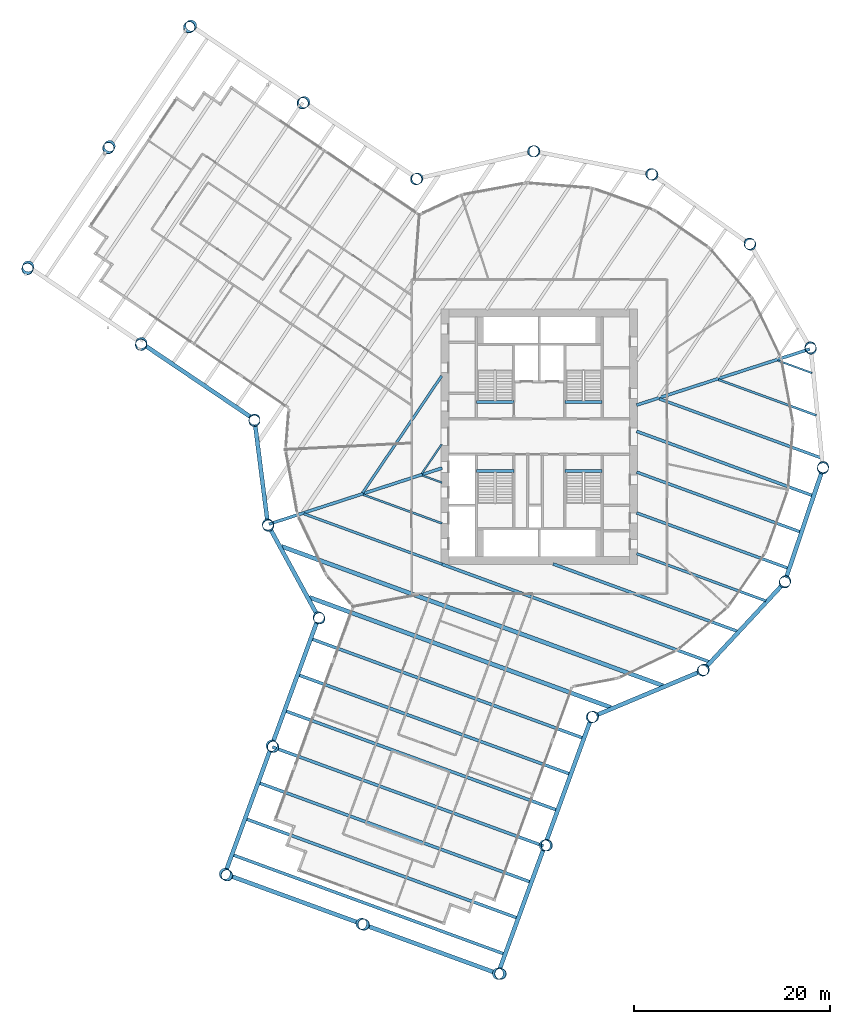
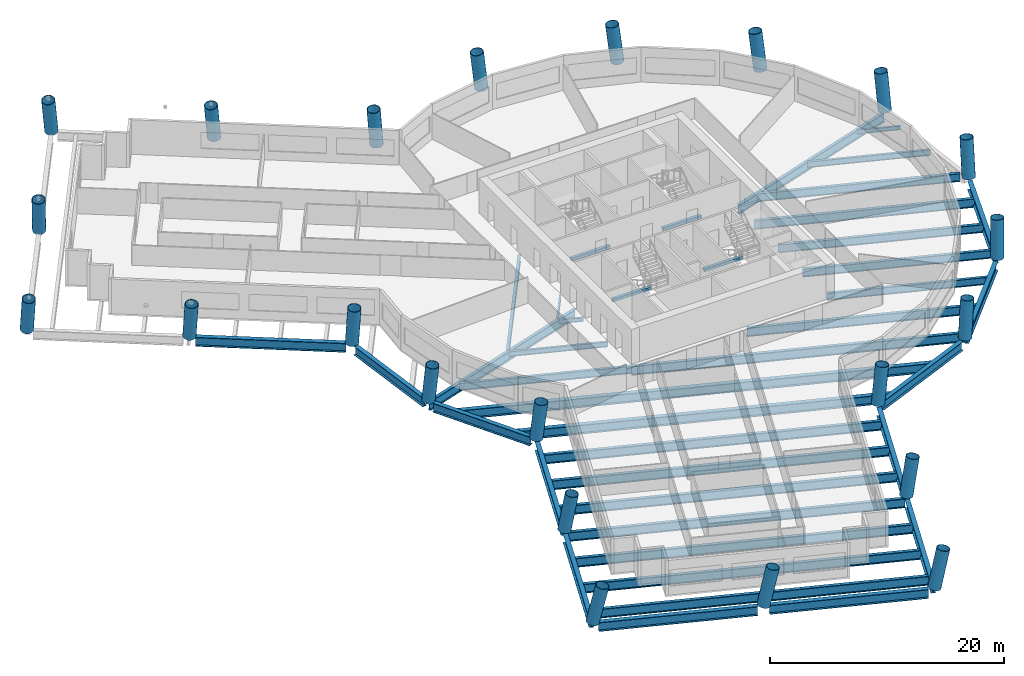
# One storey, part 1 of 13: 41 beams, 22 columns.
"""IFC4 building model written with IfcOpenShell, lengths in metres."""

from ifc_helpers import new_model, si_unit, direction, frame, origin, origin_2d, place, context, subcontext, project, spatial, rectangle, hollow_circle, i_section, extrude, material, material_profile, profile_set, type_object, element, save


model = new_model("IFC4")

# Units and contexts
model_context = context("Model", 3, precision=1e-05, world=origin(), true_north=direction((0.0, 1.0)))
body_context = subcontext(model_context, "Body", "Model", "MODEL_VIEW")
ifc_project = project(units=[si_unit("LENGTHUNIT", "METRE"), si_unit("AREAUNIT", "SQUARE_METRE"), si_unit("VOLUMEUNIT", "CUBIC_METRE"), si_unit("PLANEANGLEUNIT", "RADIAN"), si_unit("MASSUNIT", "GRAM", prefix="KILO")], contexts=[model_context])

# Site, building, storey
site_placement = place(None, origin())
site = spatial("IfcSite", under=ifc_project, at=site_placement, CompositionType="ELEMENT")
building_placement = place(site_placement, origin())
building = spatial("IfcBuilding", under=site, at=building_placement, Name="Tarsis Ring Headquarters", CompositionType="ELEMENT")
storey_placement = place(building_placement, frame((0.0, 0.0, 135.699951171875)))
storey = spatial("IfcBuildingStorey", under=building, at=storey_placement, Name="L31", CompositionType="ELEMENT", Elevation=135.699951171875)

# Columns
ifc_material_1 = material(Name="Structural steel S355", Category="steel")
ifc_material_profile_1 = material_profile(ifc_material_1, hollow_circle(Radius=0.584228515625, WallThickness=0.044921875, at=origin_2d()), Name="CHS 1168x45")
ifc_profile_set_1 = profile_set([ifc_material_profile_1], Name="Structural steel S355")
column_type = type_object("IfcColumnType", Name="XC Exo column CHS 1168x45", PredefinedType="COLUMN", material=ifc_profile_set_1)
for number, where, z_axis, x_axis, name in (
    (1, (-27.635986328125, -8.9482421875, 0.006591796875), (0.036665246931, -0.110309118972, 0.993220800195), (0.948952542098, 0.315418884732, 0.0), "Exo column XC3 F1"),
    (2, (-22.47509765625, -18.4033203125, 0.006591796875), (0.074271354143, -0.089313653717, 0.993230505579), (0.768884270286, 0.639387972132, 0.0), "Exo column XC3 AK"),
):
    element("IfcColumn", number, at=place(storey_placement, frame(where, z_axis=z_axis, x_axis=x_axis)), inside=storey, type_object=column_type, Name=name, PredefinedType="COLUMN", context=body_context, shape_type="SweptSolid", body=[
        extrude(hollow_circle(Radius=0.584228515625, WallThickness=0.044921875, at=origin_2d()), origin(), (0.0, 0.0, 1.0), 3.895263671875),
    ])
column_1_placement = place(storey_placement, frame((-27.2431640625, -31.46240234375, 0.00927734375), z_axis=(0.125877671677, -0.107270753939, 0.986229079435), x_axis=(0.648612297463, 0.761118970713, 0.0)))
element("IfcColumn", 3, at=column_1_placement, inside=storey, type_object=column_type, Name="Exo column XC3 AI1", PredefinedType="COLUMN", context=body_context, shape_type="SweptSolid", body=[
    extrude(hollow_circle(Radius=0.584228515625, WallThickness=0.044921875, at=origin_2d()), origin(), (0.0, 0.0, 1.0), 3.91015625),
])
column_2_placement = place(storey_placement, frame((-32.0107421875, -44.52197265625, 0.01171875), z_axis=(0.176107083212, -0.124515148976, 0.976464168783), x_axis=(0.577315143175, 0.816521417638, 0.0)))
element("IfcColumn", 4, at=column_2_placement, inside=storey, type_object=column_type, Name="Exo column XC3 AT1", PredefinedType="COLUMN", context=body_context, shape_type="SweptSolid", body=[
    extrude(hollow_circle(Radius=0.584228515625, WallThickness=0.044921875, at=origin_2d()), origin(), (0.0, 0.0, 1.0), 3.937255859375),
])
column_3_placement = place(storey_placement, frame((-18.1083984375, -49.59765625, 0.01123046875), z_axis=(0.195960323607, -0.069790685594, 0.978125151387), x_axis=(0.335504271767, 0.942038684782, 0.0)))
element("IfcColumn", 5, at=column_3_placement, inside=storey, type_object=column_type, Name="Exo column XC3 AT2", PredefinedType="COLUMN", context=body_context, shape_type="SweptSolid", body=[
    extrude(hollow_circle(Radius=0.584228515625, WallThickness=0.044921875, at=origin_2d()), origin(), (0.0, 0.0, 1.0), 3.931884765625),
])
column_4_placement = place(storey_placement, frame((-4.205810546875, -54.673583984375, 0.01171875), z_axis=(0.215113803746, -0.014820466733, 0.97647652568), x_axis=(0.068733002794, 0.997635090766, 0.0)))
element("IfcColumn", 6, at=column_4_placement, inside=storey, type_object=column_type, Name="Exo column XC3 AT3", PredefinedType="COLUMN", context=body_context, shape_type="SweptSolid", body=[
    extrude(hollow_circle(Radius=0.584228515625, WallThickness=0.044921875, at=origin_2d()), origin(), (0.0, 0.0, 1.0), 3.93701171875),
])
column_5_placement = place(storey_placement, frame((0.5615234375, -41.614501953125, 0.00927734375), z_axis=(0.16527879138, 0.003559082398, 0.986240464619), x_axis=(-0.021528820929, 0.999768228076, 0.0)))
element("IfcColumn", 7, at=column_5_placement, inside=storey, type_object=column_type, Name="Exo column XC3 AO1", PredefinedType="COLUMN", context=body_context, shape_type="SweptSolid", body=[
    extrude(hollow_circle(Radius=0.584228515625, WallThickness=0.044921875, at=origin_2d()), origin(), (0.0, 0.0, 1.0), 3.909912109375),
])
for number, where, z_axis, x_axis, name in (
    (8, (5.329345703125, -28.555419921875, 0.006591796875), (0.114070129635, 0.022187266973, 0.993224914463), (-0.190927402552, 0.981604160013, 0.0), "Exo column XC3 AJ"),
    (9, (16.625732421875, -23.820068359375, 0.006591796875), (0.094765999081, 0.067251267866, 0.993225388514), (-0.578735434795, 0.815515356393, 0.0), "Exo column XC3 R1"),
    (10, (24.966064453125, -14.849365234375, 0.006591796875), (0.058664824764, 0.100281751733, 0.993228074817), (-0.863152113311, 0.504943986287, 0.0), "Exo column XC3 R2"),
    (11, (28.867431640625, -3.238525390625, 0.006591796875), (0.012033784114, 0.115574468258, 0.993225921091), (-0.994623039785, 0.103561618025, 0.0), "Exo column XC3 R3"),
    (12, (27.635986328125, 8.9482421875, 0.006591796875), (-0.036665246931, 0.110309118972, 0.993220800195), (-0.948952542098, -0.315418884732, 0.0), "Exo column XC3 R4"),
    (13, (21.49072265625, 19.5439453125, 0.006591796875), (-0.078846293143, 0.085364587648, 0.993225125152), (-0.734596630385, -0.678504082984, 0.0), "Exo column XC3 R5"),
    (14, (11.524169921875, 26.664794921875, 0.006591796875), (-0.106988296245, 0.045252226063, 0.993229953487), (-0.389551982861, -0.921004480255, 0.0), "Exo column XC3 R6"),
    (15, (-0.4912109375, 29.04443359375, 0.006591796875), (-0.11620071843, -0.002883081471, 0.993221566861), (0.024803585659, -0.999692343743, 0.0), "Exo column XC3 R7"),
    (16, (-12.41943359375, 26.259765625, 0.006591796875), (-0.104668576746, -0.050516690334, 0.993223314789), (0.434658577154, -0.900595314948, 0.0), "Exo column XC3 BJ"),
):
    element("IfcColumn", number, at=place(storey_placement, frame(where, z_axis=z_axis, x_axis=x_axis)), inside=storey, type_object=column_type, Name=name, PredefinedType="COLUMN", context=body_context, shape_type="SweptSolid", body=[
        extrude(hollow_circle(Radius=0.584228515625, WallThickness=0.044921875, at=origin_2d()), origin(), (0.0, 0.0, 1.0), 3.895263671875),
    ])
column_6_placement = place(storey_placement, frame((-23.937255859375, 34.04541015625, 0.00927734375), z_axis=(-0.134489889245, -0.096166106919, 0.986237572581), x_axis=(0.581646230183, -0.813441862037, 0.0)))
element("IfcColumn", 17, at=column_6_placement, inside=storey, type_object=column_type, Name="Exo column XC3 BO1", PredefinedType="COLUMN", context=body_context, shape_type="SweptSolid", body=[
    extrude(hollow_circle(Radius=0.584228515625, WallThickness=0.044921875, at=origin_2d()), origin(), (0.0, 0.0, 1.0), 3.764892578125),
])
column_7_placement = place(storey_placement, frame((-35.455322265625, 41.83056640625, 0.01171875), z_axis=(-0.163419822874, -0.140688735527, 0.976473574239), x_axis=(0.652432886801, -0.757846507032, 0.0)))
element("IfcColumn", 18, at=column_7_placement, inside=storey, type_object=column_type, Name="Exo column XC3 BT3", PredefinedType="COLUMN", context=body_context, shape_type="SweptSolid", body=[
    extrude(hollow_circle(Radius=0.584228515625, WallThickness=0.044921875, at=origin_2d()), origin(), (0.0, 0.0, 1.0), 3.802001953125),
])
column_8_placement = place(storey_placement, frame((-43.74365234375, 29.5693359375, 0.01123046875), z_axis=(-0.115133472316, -0.173279091855, 0.978119951682), x_axis=(0.832905467844, -0.553415288582, 0.0)))
element("IfcColumn", 19, at=column_8_placement, inside=storey, type_object=column_type, Name="Exo column XC3 BT2", PredefinedType="COLUMN", context=body_context, shape_type="SweptSolid", body=[
    extrude(hollow_circle(Radius=0.584228515625, WallThickness=0.044921875, at=origin_2d()), origin(), (0.0, 0.0, 1.0), 3.795654296875),
])
column_9_placement = place(storey_placement, frame((-52.031982421875, 17.3076171875, 0.01171875), z_axis=(-0.06645929609, -0.205156957495, 0.97647006342), x_axis=(0.951329033501, -0.308177010852, 0.0)))
element("IfcColumn", 20, at=column_9_placement, inside=storey, type_object=column_type, Name="Exo column XC3 BT1", PredefinedType="COLUMN", context=body_context, shape_type="SweptSolid", body=[
    extrude(hollow_circle(Radius=0.584228515625, WallThickness=0.044921875, at=origin_2d()), origin(), (0.0, 0.0, 1.0), 3.802001953125),
])
column_10_placement = place(storey_placement, frame((-40.51416015625, 9.5224609375, 0.00927734375), z_axis=(-0.036573139791, -0.161207137447, 0.986242700496), x_axis=(0.975217560909, -0.221248070938, 0.0)))
element("IfcColumn", 21, at=column_10_placement, inside=storey, type_object=column_type, Name="Exo column XC3 BI1", PredefinedType="COLUMN", context=body_context, shape_type="SweptSolid", body=[
    extrude(hollow_circle(Radius=0.584228515625, WallThickness=0.044921875, at=origin_2d()), origin(), (0.0, 0.0, 1.0), 3.764892578125),
])
column_11_placement = place(storey_placement, frame((-28.99658203125, 1.737060546875, 0.006591796875), z_axis=(-0.006016913128, -0.116013606258, 0.993229399444), x_axis=(0.998657777336, -0.05179424453, 0.0)))
element("IfcColumn", 22, at=column_11_placement, inside=storey, type_object=column_type, Name="Exo column XC3 BK", PredefinedType="COLUMN", context=body_context, shape_type="SweptSolid", body=[
    extrude(hollow_circle(Radius=0.584228515625, WallThickness=0.044921875, at=origin_2d()), origin(), (0.0, 0.0, 1.0), 3.895263671875),
])

# Beams
ifc_material_profile_2 = material_profile(ifc_material_1, i_section(OverallWidth=0.177734375, OverallDepth=0.406494140625, WebThickness=0.0078125, FlangeThickness=0.0126953125, at=origin_2d()), Name="W16x40")
ifc_profile_set_2 = profile_set([ifc_material_profile_2], Name="Structural steel S355")
beam_type_1 = type_object("IfcBeamType", Name="FB Floor beam W16x40", PredefinedType="JOIST", material=ifc_profile_set_2)
beam_1_placement = place(storey_placement, frame((24.2490234375, 7.752685546875, -0.363037109375), z_axis=(0.939358320712, -0.342937232317, 0.0), x_axis=(0.342937232317, 0.939358320712, 0.0)))
element("IfcBeam", 23, at=beam_1_placement, inside=storey, type_object=beam_type_1, Name="Floor beam FB1", PredefinedType="JOIST", context=body_context, shape_type="SweptSolid", body=[
    extrude(i_section(OverallWidth=0.177734375, OverallDepth=0.406494140625, WebThickness=0.0078125, FlangeThickness=0.0126953125, at=origin_2d()), origin(), (0.0, 0.0, 1.0), 3.74169921875),
])
beam_2_placement = place(storey_placement, frame((-11.910888671875, -3.954345703125, -0.363037109375), z_axis=(0.939321636482, -0.343037699441, 0.0), x_axis=(0.343037699441, 0.939321636482, 0.0)))
element("IfcBeam", 24, at=beam_2_placement, inside=storey, type_object=beam_type_1, Name="Floor beam FB1", PredefinedType="JOIST", context=body_context, shape_type="SweptSolid", body=[
    extrude(i_section(OverallWidth=0.177734375, OverallDepth=0.406494140625, WebThickness=0.0078125, FlangeThickness=0.0126953125, at=origin_2d()), origin(), (0.0, 0.0, 1.0), 2.13427734375),
])
beam_3_placement = place(storey_placement, frame((-9.944091796875, -0.7822265625, -0.363037109375), z_axis=(-0.560004040561, -0.828489875952, 0.0), x_axis=(0.828489875952, -0.560004040561, 0.0)))
element("IfcBeam", 25, at=beam_3_placement, inside=storey, type_object=beam_type_1, Name="Floor beam FB1", PredefinedType="JOIST", context=body_context, shape_type="SweptSolid", body=[
    extrude(i_section(OverallWidth=0.177734375, OverallDepth=0.406494140625, WebThickness=0.0078125, FlangeThickness=0.0126953125, at=origin_2d()), origin(), (0.0, 0.0, 1.0), 3.614501953125),
])
ifc_material_profile_3 = material_profile(ifc_material_1, i_section(OverallWidth=0.209228515625, OverallDepth=0.533447265625, WebThickness=0.01025390625, FlangeThickness=0.015625, at=origin_2d()), Name="W21x62")
ifc_profile_set_3 = profile_set([ifc_material_profile_3], Name="Structural steel S355")
beam_type_2 = type_object("IfcBeamType", Name="FB Floor beam W21x62", PredefinedType="JOIST", material=ifc_profile_set_3)
beam_4_placement = place(storey_placement, frame((-17.9375, -5.90576171875, -0.4267578125), z_axis=(0.939339067581, -0.342989965036, 0.0), x_axis=(0.342989965036, 0.939339067581, 0.0)))
element("IfcBeam", 26, at=beam_4_placement, inside=storey, type_object=beam_type_2, Name="Floor beam FB3", PredefinedType="JOIST", context=body_context, shape_type="SweptSolid", body=[
    extrude(i_section(OverallWidth=0.209228515625, OverallDepth=0.533447265625, WebThickness=0.01025390625, FlangeThickness=0.015625, at=origin_2d()), origin(), (0.0, 0.0, 1.0), 8.550048828125),
])
ifc_material_profile_4 = material_profile(ifc_material_1, i_section(OverallWidth=0.228271484375, OverallDepth=0.607177734375, WebThickness=0.01123046875, FlangeThickness=0.017333984375, at=origin_2d()), Name="W24x76")
ifc_profile_set_4 = profile_set([ifc_material_profile_4], Name="Structural steel S355")
beam_type_3 = type_object("IfcBeamType", Name="FB Floor beam W24x76", PredefinedType="JOIST", material=ifc_profile_set_4)
beam_5_placement = place(storey_placement, frame((18.222412109375, 5.801513671875, -0.463623046875), z_axis=(0.9393348681, -0.343001465846, 0.0), x_axis=(0.343001465846, 0.9393348681, 0.0)))
element("IfcBeam", 27, at=beam_5_placement, inside=storey, type_object=beam_type_3, Name="Floor beam FB4", PredefinedType="JOIST", context=body_context, shape_type="SweptSolid", body=[
    extrude(i_section(OverallWidth=0.228271484375, OverallDepth=0.607177734375, WebThickness=0.01123046875, FlangeThickness=0.017333984375, at=origin_2d()), origin(), (0.0, 0.0, 1.0), 10.62109375),
])
ifc_material_profile_5 = material_profile(ifc_material_1, i_section(OverallWidth=0.2666015625, OverallDepth=0.7568359375, WebThickness=0.013916015625, FlangeThickness=0.019287109375, at=origin_2d()), Name="W30x108")
ifc_profile_set_5 = profile_set([ifc_material_profile_5], Name="Structural steel S355")
beam_type_4 = type_object("IfcBeamType", Name="FB Floor beam W30x108", PredefinedType="JOIST", material=ifc_profile_set_5)
beam_6_placement = place(storey_placement, frame((9.906005859375, -11.921142578125, -0.538330078125), z_axis=(0.939336991733, -0.342995650062, 0.0), x_axis=(0.342995650062, 0.939336991733, 0.0)))
element("IfcBeam", 28, at=beam_6_placement, inside=storey, type_object=beam_type_4, Name="Floor beam FB6", PredefinedType="JOIST", context=body_context, shape_type="SweptSolid", body=[
    extrude(i_section(OverallWidth=0.2666015625, OverallDepth=0.7568359375, WebThickness=0.013916015625, FlangeThickness=0.019287109375, at=origin_2d()), origin(), (0.0, 0.0, 1.0), 14.0029296875),
])
beam_7_placement = place(storey_placement, frame((-23.964111328125, -7.85693359375, -0.538330078125), z_axis=(0.939336297544, -0.342997551182, 0.0), x_axis=(0.342997551182, 0.939336297544, 0.0)))
element("IfcBeam", 29, at=beam_7_placement, inside=storey, type_object=beam_type_4, Name="Floor beam FB6", PredefinedType="JOIST", context=body_context, shape_type="SweptSolid", body=[
    extrude(i_section(OverallWidth=0.2666015625, OverallDepth=0.7568359375, WebThickness=0.013916015625, FlangeThickness=0.019287109375, at=origin_2d()), origin(), (0.0, 0.0, 1.0), 14.966064453125),
])
beam_8_placement = place(storey_placement, frame((-9.944091796875, 6.18115234375, -0.538330078125), z_axis=(-0.560061919112, -0.828450750956, 0.0), x_axis=(0.828450750956, -0.560061919112, 0.0)))
element("IfcBeam", 30, at=beam_8_placement, inside=storey, type_object=beam_type_4, Name="Floor beam FB6", PredefinedType="JOIST", context=body_context, shape_type="SweptSolid", body=[
    extrude(i_section(OverallWidth=0.2666015625, OverallDepth=0.7568359375, WebThickness=0.013916015625, FlangeThickness=0.019287109375, at=origin_2d()), origin(), (0.0, 0.0, 1.0), 14.375244140625),
])
ifc_material_profile_6 = material_profile(ifc_material_1, i_section(OverallWidth=0.2919921875, OverallDepth=0.835693359375, WebThickness=0.013916015625, FlangeThickness=0.018798828125, at=origin_2d()), Name="W33x118")
ifc_profile_set_6 = profile_set([ifc_material_profile_6], Name="Structural steel S355")
beam_type_5 = type_object("IfcBeamType", Name="FB Floor beam W33x118", PredefinedType="JOIST", material=ifc_profile_set_6)
beam_9_placement = place(storey_placement, frame((12.19580078125, 3.850341796875, -0.577880859375), z_axis=(0.939335989218, -0.342998395564, 0.0), x_axis=(0.342998395564, 0.939335989218, 0.0)))
element("IfcBeam", 31, at=beam_9_placement, inside=storey, type_object=beam_type_5, Name="Floor beam FB7", PredefinedType="JOIST", context=body_context, shape_type="SweptSolid", body=[
    extrude(i_section(OverallWidth=0.2919921875, OverallDepth=0.835693359375, WebThickness=0.013916015625, FlangeThickness=0.018798828125, at=origin_2d()), origin(), (0.0, 0.0, 1.0), 17.500732421875),
])
beam_10_placement = place(storey_placement, frame((9.906005859375, -3.6171875, -0.577880859375), z_axis=(0.939332275178, -0.343008566669, 0.0), x_axis=(0.343008566669, 0.939332275178, 0.0)))
element("IfcBeam", 32, at=beam_10_placement, inside=storey, type_object=beam_type_5, Name="Floor beam FB7", PredefinedType="JOIST", context=body_context, shape_type="SweptSolid", body=[
    extrude(i_section(OverallWidth=0.2919921875, OverallDepth=0.835693359375, WebThickness=0.013916015625, FlangeThickness=0.018798828125, at=origin_2d()), origin(), (0.0, 0.0, 1.0), 17.7470703125),
])
beam_11_placement = place(storey_placement, frame((9.906005859375, -7.76904296875, -0.577880859375), z_axis=(0.93933383077, -0.343004306637, 0.0), x_axis=(0.343004306637, 0.93933383077, 0.0)))
element("IfcBeam", 33, at=beam_11_placement, inside=storey, type_object=beam_type_5, Name="Floor beam FB7", PredefinedType="JOIST", context=body_context, shape_type="SweptSolid", body=[
    extrude(i_section(OverallWidth=0.2919921875, OverallDepth=0.835693359375, WebThickness=0.013916015625, FlangeThickness=0.018798828125, at=origin_2d()), origin(), (0.0, 0.0, 1.0), 16.424072265625),
])
ifc_material_profile_7 = material_profile(ifc_material_1, i_section(OverallWidth=0.3046875, OverallDepth=0.904296875, WebThickness=0.01513671875, FlangeThickness=0.02001953125, at=origin_2d()), Name="W36x135")
ifc_profile_set_7 = profile_set([ifc_material_profile_7], Name="Structural steel S355")
beam_type_6 = type_object("IfcBeamType", Name="FB Floor beam W36x135", PredefinedType="JOIST", material=ifc_profile_set_7)
beam_12_placement = place(storey_placement, frame((9.906005859375, 0.53466796875, -0.612060546875), z_axis=(0.939330935406, -0.343012235626, 0.0), x_axis=(0.343012235626, 0.939330935406, 0.0)))
element("IfcBeam", 34, at=beam_12_placement, inside=storey, type_object=beam_type_6, Name="Floor beam FB8", PredefinedType="JOIST", context=body_context, shape_type="SweptSolid", body=[
    extrude(i_section(OverallWidth=0.3046875, OverallDepth=0.904296875, WebThickness=0.01513671875, FlangeThickness=0.02001953125, at=origin_2d()), origin(), (0.0, 0.0, 1.0), 19.070068359375),
])
beam_13_placement = place(storey_placement, frame((1.396728515625, -12.9658203125, -0.612060546875), z_axis=(0.939335526994, -0.34299966141, 0.0), x_axis=(0.34299966141, 0.939335526994, 0.0)))
element("IfcBeam", 35, at=beam_13_placement, inside=storey, type_object=beam_type_6, Name="Floor beam FB8", PredefinedType="JOIST", context=body_context, shape_type="SweptSolid", body=[
    extrude(i_section(OverallWidth=0.3046875, OverallDepth=0.904296875, WebThickness=0.01513671875, FlangeThickness=0.02001953125, at=origin_2d()), origin(), (0.0, 0.0, 1.0), 19.993896484375),
])
ifc_material_profile_8 = material_profile(ifc_material_1, i_section(OverallWidth=0.309814453125, OverallDepth=0.949951171875, WebThickness=0.0244140625, FlangeThickness=0.0439453125, at=origin_2d()), Name="W36x256")
ifc_profile_set_8 = profile_set([ifc_material_profile_8], Name="Structural steel S355")
beam_type_7 = type_object("IfcBeamType", Name="FB Floor beam W36x256", PredefinedType="JOIST", material=ifc_profile_set_8)
beam_14_placement = place(storey_placement, frame((-9.973388671875, -12.9658203125, -0.635009765625), z_axis=(0.939336117507, -0.342998044233, 0.0), x_axis=(0.342998044233, 0.939336117507, 0.0)))
element("IfcBeam", 36, at=beam_14_placement, inside=storey, type_object=beam_type_7, Name="Floor beam FB11", PredefinedType="JOIST", context=body_context, shape_type="SweptSolid", body=[
    extrude(i_section(OverallWidth=0.309814453125, OverallDepth=0.949951171875, WebThickness=0.0244140625, FlangeThickness=0.0439453125, at=origin_2d()), origin(), (0.0, 0.0, 1.0), 29.030029296875),
])
beam_15_placement = place(storey_placement, frame((-23.160888671875, -20.605712890625, -0.635009765625), z_axis=(0.939332499182, -0.343007953233, 0.0), x_axis=(0.343007953233, 0.939332499182, 0.0)))
element("IfcBeam", 37, at=beam_15_placement, inside=storey, type_object=beam_type_7, Name="Floor beam FB11", PredefinedType="JOIST", context=body_context, shape_type="SweptSolid", body=[
    extrude(i_section(OverallWidth=0.309814453125, OverallDepth=0.949951171875, WebThickness=0.0244140625, FlangeThickness=0.0439453125, at=origin_2d()), origin(), (0.0, 0.0, 1.0), 29.3759765625),
])
beam_16_placement = place(storey_placement, frame((-24.49853515625, -24.269287109375, -0.635009765625), z_axis=(0.939335176924, -0.343000620106, 0.0), x_axis=(0.343000620106, 0.939335176924, 0.0)))
element("IfcBeam", 38, at=beam_16_placement, inside=storey, type_object=beam_type_7, Name="Floor beam FB11", PredefinedType="JOIST", context=body_context, shape_type="SweptSolid", body=[
    extrude(i_section(OverallWidth=0.309814453125, OverallDepth=0.949951171875, WebThickness=0.0244140625, FlangeThickness=0.0439453125, at=origin_2d()), origin(), (0.0, 0.0, 1.0), 29.375732421875),
])
beam_17_placement = place(storey_placement, frame((-25.836181640625, -27.9326171875, -0.635009765625), z_axis=(0.939334199136, -0.343003297847, 0.0), x_axis=(0.343003297847, 0.939334199136, 0.0)))
element("IfcBeam", 39, at=beam_17_placement, inside=storey, type_object=beam_type_7, Name="Floor beam FB11", PredefinedType="JOIST", context=body_context, shape_type="SweptSolid", body=[
    extrude(i_section(OverallWidth=0.309814453125, OverallDepth=0.949951171875, WebThickness=0.0244140625, FlangeThickness=0.0439453125, at=origin_2d()), origin(), (0.0, 0.0, 1.0), 29.37548828125),
])
beam_18_placement = place(storey_placement, frame((-27.174072265625, -31.595947265625, -0.635009765625), z_axis=(0.939332499182, -0.343007953233, 0.0), x_axis=(0.343007953233, 0.939332499182, 0.0)))
element("IfcBeam", 40, at=beam_18_placement, inside=storey, type_object=beam_type_7, Name="Floor beam FB11", PredefinedType="JOIST", context=body_context, shape_type="SweptSolid", body=[
    extrude(i_section(OverallWidth=0.309814453125, OverallDepth=0.949951171875, WebThickness=0.0244140625, FlangeThickness=0.0439453125, at=origin_2d()), origin(), (0.0, 0.0, 1.0), 29.3759765625),
])
beam_19_placement = place(storey_placement, frame((-28.51171875, -35.259521484375, -0.635009765625), z_axis=(0.939335176924, -0.343000620106, 0.0), x_axis=(0.343000620106, 0.939335176924, 0.0)))
element("IfcBeam", 41, at=beam_19_placement, inside=storey, type_object=beam_type_7, Name="Floor beam FB11", PredefinedType="JOIST", context=body_context, shape_type="SweptSolid", body=[
    extrude(i_section(OverallWidth=0.309814453125, OverallDepth=0.949951171875, WebThickness=0.0244140625, FlangeThickness=0.0439453125, at=origin_2d()), origin(), (0.0, 0.0, 1.0), 29.375732421875),
])
beam_20_placement = place(storey_placement, frame((-29.849365234375, -38.9228515625, -0.635009765625), z_axis=(0.939334199136, -0.343003297847, 0.0), x_axis=(0.343003297847, 0.939334199136, 0.0)))
element("IfcBeam", 42, at=beam_20_placement, inside=storey, type_object=beam_type_7, Name="Floor beam FB11", PredefinedType="JOIST", context=body_context, shape_type="SweptSolid", body=[
    extrude(i_section(OverallWidth=0.309814453125, OverallDepth=0.949951171875, WebThickness=0.0244140625, FlangeThickness=0.0439453125, at=origin_2d()), origin(), (0.0, 0.0, 1.0), 29.37548828125),
])
beam_21_placement = place(storey_placement, frame((-31.187255859375, -42.586181640625, -0.635009765625), z_axis=(0.939332499182, -0.343007953233, 0.0), x_axis=(0.343007953233, 0.939332499182, 0.0)))
element("IfcBeam", 43, at=beam_21_placement, inside=storey, type_object=beam_type_7, Name="Floor beam FB11", PredefinedType="JOIST", context=body_context, shape_type="SweptSolid", body=[
    extrude(i_section(OverallWidth=0.309814453125, OverallDepth=0.949951171875, WebThickness=0.0244140625, FlangeThickness=0.0439453125, at=origin_2d()), origin(), (0.0, 0.0, 1.0), 29.3759765625),
])
beam_type_8 = type_object("IfcBeamType", Name="FB Floor beam W36x256 spine", PredefinedType="BEAM", material=ifc_profile_set_8)
beam_22_placement = place(storey_placement, frame((-9.90478515625, -3.206787109375, -0.635009765625), z_axis=(-0.951379095978, -0.308022427328, 0.0), x_axis=(0.308022427328, -0.951379095978, 0.0)))
element("IfcBeam", 44, at=beam_22_placement, inside=storey, type_object=beam_type_8, Name="Floor beam SB11", PredefinedType="BEAM", context=body_context, shape_type="SweptSolid", body=[
    extrude(i_section(OverallWidth=0.309814453125, OverallDepth=0.949951171875, WebThickness=0.0244140625, FlangeThickness=0.0439453125, at=origin_2d()), origin(), (0.0, 0.0, 1.0), 18.521728515625),
])
beam_23_placement = place(storey_placement, frame((27.52490234375, 8.91162109375, -0.635009765625), z_axis=(-0.951377956179, -0.308025947764, 0.0), x_axis=(0.308025947764, -0.951377956179, 0.0)))
element("IfcBeam", 45, at=beam_23_placement, inside=storey, type_object=beam_type_8, Name="Floor beam SB11", PredefinedType="BEAM", context=body_context, shape_type="SweptSolid", body=[
    extrude(i_section(OverallWidth=0.309814453125, OverallDepth=0.949951171875, WebThickness=0.0244140625, FlangeThickness=0.0439453125, at=origin_2d()), origin(), (0.0, 0.0, 1.0), 18.5205078125),
])
ifc_material_profile_9 = material_profile(ifc_material_1, i_section(OverallWidth=0.42431640625, OverallDepth=0.947509765625, WebThickness=0.02392578125, FlangeThickness=0.042724609375, at=origin_2d()), Name="W36x302")
ifc_profile_set_9 = profile_set([ifc_material_profile_9], Name="Structural steel S355")
beam_type_9 = type_object("IfcBeamType", Name="FB Floor beam W36x302", PredefinedType="JOIST", material=ifc_profile_set_9)
beam_24_placement = place(storey_placement, frame((-26.255615234375, -11.171875, -0.633544921875), z_axis=(0.939333196887, -0.34300604255, 0.0), x_axis=(0.34300604255, 0.939333196887, 0.0)))
element("IfcBeam", 46, at=beam_24_placement, inside=storey, type_object=beam_type_9, Name="Floor beam FB12", PredefinedType="JOIST", context=body_context, shape_type="SweptSolid", body=[
    extrude(i_section(OverallWidth=0.42431640625, OverallDepth=0.947509765625, WebThickness=0.02392578125, FlangeThickness=0.042724609375, at=origin_2d()), origin(), (0.0, 0.0, 1.0), 41.35302734375),
])
beam_25_placement = place(storey_placement, frame((-23.425537109375, -16.357177734375, -0.633544921875), z_axis=(0.93933158956, -0.343010444236, 0.0), x_axis=(0.343010444236, 0.93933158956, 0.0)))
element("IfcBeam", 47, at=beam_25_placement, inside=storey, type_object=beam_type_9, Name="Floor beam FB12", PredefinedType="JOIST", context=body_context, shape_type="SweptSolid", body=[
    extrude(i_section(OverallWidth=0.42431640625, OverallDepth=0.947509765625, WebThickness=0.02392578125, FlangeThickness=0.042724609375, at=origin_2d()), origin(), (0.0, 0.0, 1.0), 32.70458984375),
])
ifc_material_2 = material(Name="Concrete C40/50", Category="concrete")
ifc_material_profile_10 = material_profile(ifc_material_2, rectangle(XDim=0.300048828125, YDim=0.300048828125, at=origin_2d()), Name="Stair head beam 300x300 C40/50")
ifc_profile_set_10 = profile_set([ifc_material_profile_10], Name="Concrete C40/50")
beam_type_10 = type_object("IfcBeamType", Name="Stair head beam 300x300 C40/50", PredefinedType="BEAM", material=ifc_profile_set_10)
for number, where, z_axis, x_axis, name in (
    (48, (-6.39990234375, 3.510009765625, -0.31005859375), (1.0, 0.0, 0.0), (0.0, 1.0, 0.0), "Stair head beam L31 Firefighting stair"),
    (49, (2.60009765625, 3.510009765625, -0.31005859375), (1.0, 0.0, 0.0), (0.0, 1.0, 0.0), "Stair head beam L31 Exit stair B"),
    (50, (-6.39990234375, -3.510009765625, -0.31005859375), (1.0, 0.0, 0.0), (0.0, 1.0, 0.0), "Stair head beam L31 Exit stair C"),
    (51, (2.60009765625, -3.510009765625, -0.31005859375), (1.0, 0.0, 0.0), (0.0, 1.0, 0.0), "Stair head beam L31 Exit stair D"),
):
    element("IfcBeam", number, at=place(storey_placement, frame(where, z_axis=z_axis, x_axis=x_axis)), inside=storey, type_object=beam_type_10, Name=name, PredefinedType="BEAM", context=body_context, shape_type="SweptSolid", body=[
        extrude(rectangle(XDim=0.300048828125, YDim=0.300048828125, at=origin_2d()), origin(), (0.0, 0.0, 1.0), 3.7998046875),
    ])
beam_type_11 = type_object("IfcBeamType", Name="XG Ring girder W36x302", PredefinedType="BEAM", material=ifc_profile_set_9)
beam_26_placement = place(storey_placement, frame((-27.38427734375, -9.4091796875, -0.4736328125), z_axis=(0.479084407505, -0.877768836588, 0.0), x_axis=(0.877768836588, 0.479084407505, 0.0)))
element("IfcBeam", 52, at=beam_26_placement, inside=storey, type_object=beam_type_11, Name="Ring girder XG1", PredefinedType="BEAM", context=body_context, shape_type="SweptSolid", body=[
    extrude(i_section(OverallWidth=0.42431640625, OverallDepth=0.947509765625, WebThickness=0.02392578125, FlangeThickness=0.042724609375, at=origin_2d()), origin(), (0.0, 0.0, 1.0), 9.719970703125),
])
beam_27_placement = place(storey_placement, frame((-22.656005859375, -18.896484375, -0.4736328125), z_axis=(-0.343013414736, -0.939330504834, 0.0), x_axis=(0.939330504834, -0.343013414736, 0.0)))
element("IfcBeam", 53, at=beam_27_placement, inside=storey, type_object=beam_type_11, Name="Ring girder XG1", PredefinedType="BEAM", context=body_context, shape_type="SweptSolid", body=[
    extrude(i_section(OverallWidth=0.42431640625, OverallDepth=0.947509765625, WebThickness=0.02392578125, FlangeThickness=0.042724609375, at=origin_2d()), origin(), (0.0, 0.0, 1.0), 12.8505859375),
])
beam_28_placement = place(storey_placement, frame((-27.424560546875, -31.955322265625, -0.4736328125), z_axis=(-0.343007293545, -0.939332740074, 0.0), x_axis=(0.939332740074, -0.343007293545, 0.0)))
element("IfcBeam", 54, at=beam_28_placement, inside=storey, type_object=beam_type_11, Name="Ring girder XG1", PredefinedType="BEAM", context=body_context, shape_type="SweptSolid", body=[
    extrude(i_section(OverallWidth=0.42431640625, OverallDepth=0.947509765625, WebThickness=0.02392578125, FlangeThickness=0.042724609375, at=origin_2d()), origin(), (0.0, 0.0, 1.0), 12.850830078125),
])
for number, where, z_axis, x_axis, name in (
    (55, (-31.518798828125, -44.70068359375, -0.4736328125), (0.939332165075, -0.343008868189, 0.0), (0.343008868189, 0.939332165075, 0.0), "Ring girder XG1"),
    (56, (-17.61669921875, -49.777099609375, -0.4736328125), (0.939332165075, -0.343008868189, 0.0), (0.343008868189, 0.939332165075, 0.0), "Ring girder XG1"),
):
    element("IfcBeam", number, at=place(storey_placement, frame(where, z_axis=z_axis, x_axis=x_axis)), inside=storey, type_object=beam_type_11, Name=name, PredefinedType="BEAM", context=body_context, shape_type="SweptSolid", body=[
        extrude(i_section(OverallWidth=0.42431640625, OverallDepth=0.947509765625, WebThickness=0.02392578125, FlangeThickness=0.042724609375, at=origin_2d()), origin(), (0.0, 0.0, 1.0), 13.748291015625),
    ])
for number, where, z_axis, x_axis, name in (
    (57, (-4.028076171875, -54.179443359375, -0.4736328125), (0.342996651621, 0.939336626017, 0.0), (-0.939336626017, 0.342996651621, 0.0), "Ring girder XG1"),
    (58, (0.740478515625, -41.12060546875, -0.4736328125), (0.342996651621, 0.939336626017, 0.0), (-0.939336626017, 0.342996651621, 0.0), "Ring girder XG1"),
):
    element("IfcBeam", number, at=place(storey_placement, frame(where, z_axis=z_axis, x_axis=x_axis)), inside=storey, type_object=beam_type_11, Name=name, PredefinedType="BEAM", context=body_context, shape_type="SweptSolid", body=[
        extrude(i_section(OverallWidth=0.42431640625, OverallDepth=0.947509765625, WebThickness=0.02392578125, FlangeThickness=0.042724609375, at=origin_2d()), origin(), (0.0, 0.0, 1.0), 12.8505859375),
    ])
for number, where, z_axis, x_axis, name in (
    (59, (5.8134765625, -28.352294921875, -0.4736328125), (0.922266606744, 0.386554402491, 0.0), (-0.386554402491, 0.922266606744, 0.0), "Ring girder XG1"),
    (60, (16.983154296875, -23.435546875, -0.4736328125), (0.680921793995, 0.732356136359, 0.0), (-0.732356136359, 0.680921793995, 0.0), "Ring girder XG1"),
):
    element("IfcBeam", number, at=place(storey_placement, frame(where, z_axis=z_axis, x_axis=x_axis)), inside=storey, type_object=beam_type_11, Name=name, PredefinedType="BEAM", context=body_context, shape_type="SweptSolid", body=[
        extrude(i_section(OverallWidth=0.42431640625, OverallDepth=0.947509765625, WebThickness=0.02392578125, FlangeThickness=0.042724609375, at=origin_2d()), origin(), (0.0, 0.0, 1.0), 11.197265625),
    ])
beam_29_placement = place(storey_placement, frame((25.13330078125, -14.351806640625, -0.4736328125), z_axis=(0.318522715264, 0.947915228204, 0.0), x_axis=(-0.947915228204, 0.318522715264, 0.0)))
element("IfcBeam", 61, at=beam_29_placement, inside=storey, type_object=beam_type_11, Name="Ring girder XG1", PredefinedType="BEAM", context=body_context, shape_type="SweptSolid", body=[
    extrude(i_section(OverallWidth=0.42431640625, OverallDepth=0.947509765625, WebThickness=0.02392578125, FlangeThickness=0.042724609375, at=origin_2d()), origin(), (0.0, 0.0, 1.0), 11.197509765625),
])
beam_30_placement = place(storey_placement, frame((-40.078125, 9.2294921875, -0.4736328125), z_axis=(0.828452457217, -0.560059395182, 0.0), x_axis=(0.560059395182, 0.828452457217, 0.0)))
element("IfcBeam", 62, at=beam_30_placement, inside=storey, type_object=beam_type_11, Name="Ring girder XG1", PredefinedType="BEAM", context=body_context, shape_type="SweptSolid", body=[
    extrude(i_section(OverallWidth=0.42431640625, OverallDepth=0.947509765625, WebThickness=0.02392578125, FlangeThickness=0.042724609375, at=origin_2d()), origin(), (0.0, 0.0, 1.0), 12.850341796875),
])
beam_31_placement = place(storey_placement, frame((-28.93017578125, 1.21630859375, -0.4736328125), z_axis=(0.126287984021, -0.991993621498, 0.0), x_axis=(0.991993621498, 0.126287984021, 0.0)))
element("IfcBeam", 63, at=beam_31_placement, inside=storey, type_object=beam_type_11, Name="Ring girder XG1", PredefinedType="BEAM", context=body_context, shape_type="SweptSolid", body=[
    extrude(i_section(OverallWidth=0.42431640625, OverallDepth=0.947509765625, WebThickness=0.02392578125, FlangeThickness=0.042724609375, at=origin_2d()), origin(), (0.0, 0.0, 1.0), 9.72021484375),
])

save(model, "model.ifc")
